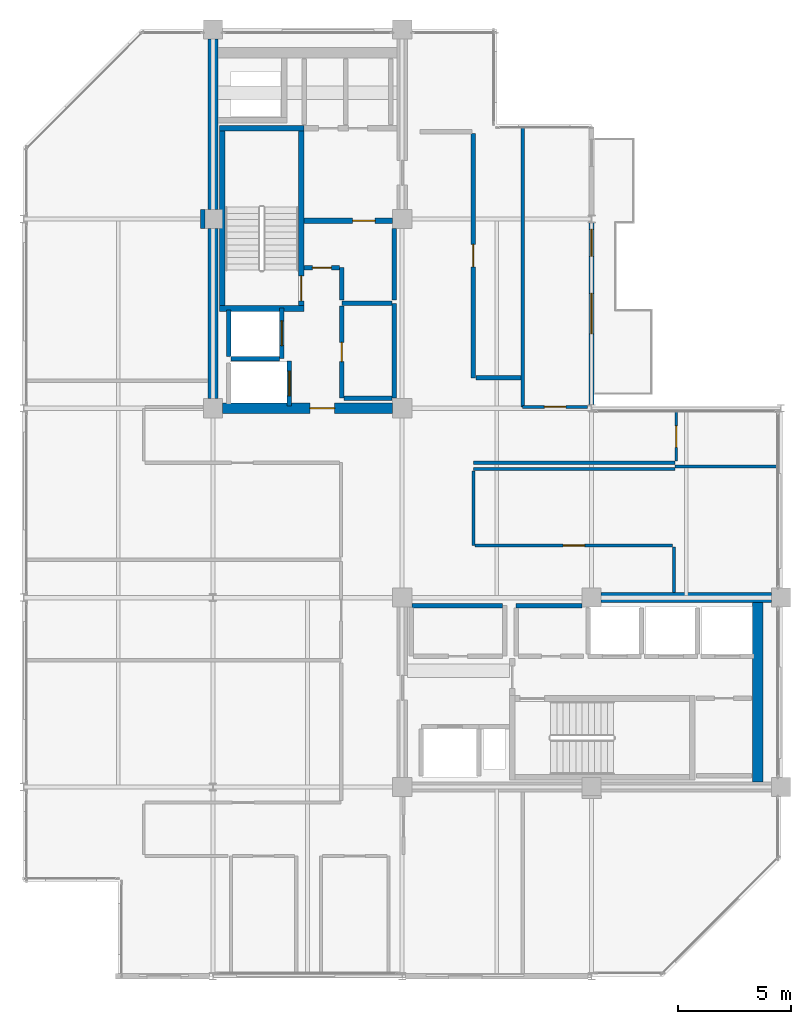
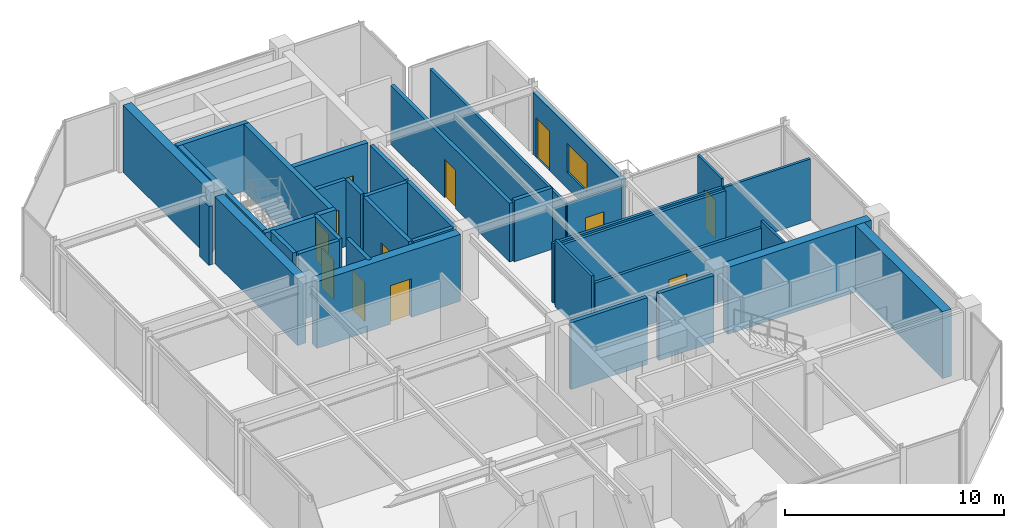
# One storey, part 21 of 24: 36 walls, 12 doors, 1 window, 13 openings.
"""IFC4 building model written with IfcOpenShell, lengths in metres."""

from ifc_helpers import new_model, si_unit, direction, frame, frame_2d, origin, place, context, subcontext, project, spatial, rectangle, extrude, material, layer, layer_set, type_object, element, fill, save


model = new_model("IFC4")

# Units and contexts
model_context = context("Model", 3, precision=1e-05, world=origin(), true_north=direction((0.0, 1.0)))
body_context = subcontext(model_context, "Body", "Model", "MODEL_VIEW")
ifc_project = project(units=[si_unit("LENGTHUNIT", "METRE"), si_unit("AREAUNIT", "SQUARE_METRE"), si_unit("VOLUMEUNIT", "CUBIC_METRE"), si_unit("PLANEANGLEUNIT", "RADIAN"), si_unit("MASSUNIT", "GRAM", prefix="KILO")], contexts=[model_context])

# Site, building, storey
site_placement = place(None, origin())
site = spatial("IfcSite", under=ifc_project, at=site_placement, CompositionType="ELEMENT")
building_placement = place(site_placement, origin())
building = spatial("IfcBuilding", under=site, at=building_placement, Name="Nerrivon Quay Data Exchange", CompositionType="ELEMENT")
storey_placement = place(building_placement, frame((0.0, 0.0, 294.199951171875)))
storey = spatial("IfcBuildingStorey", under=building, at=storey_placement, Name="L70", CompositionType="ELEMENT", Elevation=294.199951171875)

# Wall, openings, door, window
ifc_material_1 = material(Name="Architectural terracotta precast concrete N50 (50 MPa)", Category="masonry")
ifc_layer_1 = layer(ifc_material_1, 0.239990234375)
ifc_layer_set_1 = layer_set([ifc_layer_1], Name="Architectural terracotta precast concrete N50 (50 MPa)")
wall_type_1 = type_object("IfcWallType", Name="EW-PREC-240", PredefinedType="STANDARD", material=ifc_layer_set_1)
wall_1_placement = place(storey_placement, frame((25.199951171875, 33.4365234375, 0.0), z_axis=(0.0, 0.0, 1.0), x_axis=(0.0, -1.0, 0.0)))
wall_1 = element("IfcWall", 1, at=wall_1_placement, inside=storey, type_object=wall_type_1, Name="L70 Terrace Host Wall 20", PredefinedType="STANDARD", context=body_context, shape_type="SweptSolid", body=[
    extrude(rectangle(XDim=8.072998046875, YDim=0.239990234375, at=frame_2d((4.03662109375, 0.0))), origin(), (0.0, 0.0, 1.0), 3.47509765625),
])
opening_1_placement = place(wall_1_placement, frame((0.300048828125, 0.0, 0.0)))
opening_1 = element("IfcOpeningElement", 2, at=opening_1_placement, cuts=wall_1, Name="Opening TD1", PredefinedType="OPENING", context=body_context, shape_type="SweptSolid", body=[
    extrude(rectangle(XDim=1.199951171875, YDim=2.199951171875, at=frame_2d((0.60009765625, 1.10009765625))), frame((0.0, 0.1298828125, 0.0), z_axis=(0.0, -1.0, 0.0), x_axis=(1.0, 0.0, 0.0)), (0.0, 0.0, 1.0), 0.260009765625),
])
opening_2_placement = place(wall_1_placement, frame((3.136474609375, 0.0, 0.89990234375)))
opening_2 = element("IfcOpeningElement", 3, at=opening_2_placement, cuts=wall_1, Name="Opening WN2", PredefinedType="OPENING", context=body_context, shape_type="SweptSolid", body=[
    extrude(rectangle(XDim=1.800048828125, YDim=1.60009765625, at=frame_2d((0.89990234375, 0.800048828125))), frame((0.0, 0.1298828125, 0.0), z_axis=(0.0, -1.0, 0.0), x_axis=(1.0, 0.0, 0.0)), (0.0, 0.0, 1.0), 0.260009765625),
])
ifc_material_2 = material(Name="Double-glazed low-E solar control glass", Category="glass")
door_type_1 = type_object("IfcDoorType", Name="DR-TERR-1200x2200", OperationType="NOTDEFINED", PredefinedType="DOOR", material=ifc_material_2)
door_1_placement = place(opening_1_placement, origin())
door_1 = element("IfcDoor", 4, at=door_1_placement, inside=storey, type_object=door_type_1, Name="L70 Outdoor Terrace Access Door 20", OperationType="SINGLE_SWING_LEFT", OverallHeight=2.199951171875, OverallWidth=1.199951171875, PredefinedType="DOOR", context=body_context, shape_type="SweptSolid", body=[
    extrude(rectangle(XDim=1.199951171875, YDim=2.199951171875, at=frame_2d((0.60009765625, 1.10009765625))), frame((0.0, 0.02490234375, 0.0), z_axis=(0.0, -1.0, 0.0), x_axis=(1.0, 0.0, 0.0)), (0.0, 0.0, 1.0), 0.050048828125),
])
fill(opening_1, door_1)
window_type = type_object("IfcWindowType", Name="WIN-W2-1800x1600", PartitioningType="SINGLE_PANEL", PredefinedType="WINDOW", material=ifc_material_2)
window_placement = place(opening_2_placement, origin())
window = element("IfcWindow", 5, at=window_placement, inside=storey, type_object=window_type, Name="L70 Terrace Side Window 20", OverallHeight=1.60009765625, OverallWidth=1.800048828125, PartitioningType="SINGLE_PANEL", PredefinedType="WINDOW", context=body_context, shape_type="SweptSolid", body=[
    extrude(rectangle(XDim=1.800048828125, YDim=1.60009765625, at=frame_2d((0.89990234375, 0.800048828125))), frame((0.0, 0.030029296875, 0.0), z_axis=(0.0, -1.0, 0.0), x_axis=(1.0, 0.0, 0.0)), (0.0, 0.0, 1.0), 0.06005859375),
])
fill(opening_2, window)

# Walls
ifc_material_3 = material(Name="Concrete N50 (50 MPa)", Category="concrete")
ifc_layer_2 = layer(ifc_material_3, 0.449951171875)
ifc_layer_set_2 = layer_set([ifc_layer_2], Name="Concrete N50 (50 MPa)")
wall_type_2 = type_object("IfcWallType", Name="WALL-CW-550", PredefinedType="SHEAR", material=ifc_layer_set_2)
for number, where, z_axis, x_axis, name in (
    (6, (8.39990234375, 25.625, 0.0), (0.0, 0.0, 1.0), (0.0, 1.0, 0.0), "L70 West Split-Core Shear Wall WCW-W1"),
    (7, (8.39990234375, 34.02490234375, 0.0), (0.0, 0.0, 1.0), (0.0, 1.0, 0.0), "L70 West Split-Core Shear Wall WCW-W2"),
):
    element("IfcWall", number, at=place(storey_placement, frame(where, z_axis=z_axis, x_axis=x_axis)), inside=storey, type_object=wall_type_2, Name=name, PredefinedType="SHEAR", context=body_context, shape_type="SweptSolid", body=[
        extrude(rectangle(XDim=7.550048828125, YDim=0.449951171875, at=frame_2d((3.77490234375, 0.0))), origin(), (0.0, 0.0, 1.0), 3.72509765625),
    ])

# Wall, opening, door
wall_2_placement = place(storey_placement, frame((8.824951171875, 25.199951171875, 0.0), z_axis=(0.0, 0.0, 1.0), x_axis=(1.0, 0.0, 0.0)))
wall_2 = element("IfcWall", 8, at=wall_2_placement, inside=storey, type_object=wall_type_2, Name="L70 West Split-Core Shear Wall WCW-S1", PredefinedType="SHEAR", context=body_context, shape_type="SweptSolid", body=[
    extrude(rectangle(XDim=7.550048828125, YDim=0.449951171875, at=frame_2d((3.77490234375, 0.0))), origin(), (0.0, 0.0, 1.0), 3.72509765625),
])
opening_3_placement = place(wall_2_placement, frame((3.875, 0.0, 0.0)))
opening_3 = element("IfcOpeningElement", 9, at=opening_3_placement, cuts=wall_2, Name="Opening FD-120", PredefinedType="OPENING", context=body_context, shape_type="SweptSolid", body=[
    extrude(rectangle(XDim=1.10009765625, YDim=2.14990234375, at=frame_2d((0.550048828125, 1.074951171875))), frame((0.0, 0.23486328125, 0.0), z_axis=(0.0, -1.0, 0.0), x_axis=(1.0, 0.0, 0.0)), (0.0, 0.0, 1.0), 0.469970703125),
])
ifc_material_4 = material(Name="Powder-coated galvanized steel sheet", Category="steel")
door_type_2 = type_object("IfcDoorType", Name="DR-FD120-1100", OperationType="NOTDEFINED", PredefinedType="DOOR", material=ifc_material_4)
door_2_placement = place(opening_3_placement, origin())
door_2 = element("IfcDoor", 10, at=door_2_placement, inside=storey, type_object=door_type_2, Name="L70 West Core Lobby Fire Door", OperationType="SINGLE_SWING_LEFT", OverallHeight=2.14990234375, OverallWidth=1.10009765625, PredefinedType="DOOR", context=body_context, shape_type="SweptSolid", body=[
    extrude(rectangle(XDim=1.10009765625, YDim=2.14990234375, at=frame_2d((0.550048828125, 1.074951171875))), frame((0.0, 0.02490234375, 0.0), z_axis=(0.0, -1.0, 0.0), x_axis=(1.0, 0.0, 0.0)), (0.0, 0.0, 1.0), 0.050048828125),
])
fill(opening_3, door_2)

# Walls
wall_3_placement = place(storey_placement, frame((32.574951171875, 8.625, 0.0), z_axis=(0.0, 0.0, 1.0), x_axis=(0.0, 1.0, 0.0)))
element("IfcWall", 11, at=wall_3_placement, inside=storey, type_object=wall_type_2, Name="L70 East Split-Core Shear Wall ECW-E1", PredefinedType="SHEAR", context=body_context, shape_type="SweptSolid", body=[
    extrude(rectangle(XDim=7.949951171875, YDim=0.449951171875, at=frame_2d((3.97509765625, 0.0))), origin(), (0.0, 0.0, 1.0), 3.72509765625),
])
wall_4_placement = place(storey_placement, frame((25.625, 16.800048828125, 0.0), z_axis=(0.0, 0.0, 1.0), x_axis=(1.0, 0.0, 0.0)))
element("IfcWall", 12, at=wall_4_placement, inside=storey, type_object=wall_type_2, Name="L70 East Split-Core Shear Wall ECW-N1", PredefinedType="SHEAR", context=body_context, shape_type="SweptSolid", body=[
    extrude(rectangle(XDim=7.550048828125, YDim=0.449951171875, at=frame_2d((3.77490234375, 0.0))), origin(), (0.0, 0.0, 1.0), 3.72509765625),
])

# Wall, opening, door
ifc_material_5 = material(Name="Gypsum plasterboard on cold-formed framing", Category="gypsum")
ifc_layer_3 = layer(ifc_material_5, 0.199951171875)
ifc_layer_set_3 = layer_set([ifc_layer_3], Name="Gypsum plasterboard on cold-formed framing")
wall_type_3 = type_object("IfcWallType", Name="WALL-FW-200", PredefinedType="PARTITIONING", material=ifc_layer_set_3)
wall_5_placement = place(storey_placement, frame((11.449951171875, 27.39990234375, 0.0), z_axis=(0.0, 0.0, 1.0), x_axis=(0.0, 1.0, 0.0)))
wall_5 = element("IfcWall", 13, at=wall_5_placement, inside=storey, type_object=wall_type_3, Name="L70 Lift Front Wall FFL-1", PredefinedType="PARTITIONING", context=body_context, shape_type="SweptSolid", body=[
    extrude(rectangle(XDim=2.25, YDim=0.199951171875, at=frame_2d((1.125, 0.0))), origin(), (0.0, 0.0, 1.0), 3.72509765625),
])
opening_4_placement = place(wall_5_placement, frame((0.574951171875, 0.0, 0.0)))
opening_4 = element("IfcOpeningElement", 14, at=opening_4_placement, cuts=wall_5, Name="Opening LD-120", PredefinedType="OPENING", context=body_context, shape_type="SweptSolid", body=[
    extrude(rectangle(XDim=1.10009765625, YDim=2.199951171875, at=frame_2d((0.550048828125, 1.10009765625))), frame((0.0, 0.10986328125, 0.0), z_axis=(0.0, -1.0, 0.0), x_axis=(1.0, 0.0, 0.0)), (0.0, 0.0, 1.0), 0.219970703125),
])
door_type_3 = type_object("IfcDoorType", Name="DR-LIFT-LD120", OperationType="DOUBLE_DOOR_SLIDING", PredefinedType="DOOR", material=ifc_material_4)
door_3_placement = place(opening_4_placement, origin())
door_3 = element("IfcDoor", 15, at=door_3_placement, inside=storey, type_object=door_type_3, Name="L70 Lift Landing Sliding Door FFL-1", OperationType="DOUBLE_DOOR_SLIDING", OverallHeight=2.199951171875, OverallWidth=1.10009765625, PredefinedType="DOOR", context=body_context, shape_type="SweptSolid", body=[
    extrude(rectangle(XDim=1.10009765625, YDim=2.199951171875, at=frame_2d((0.550048828125, 1.10009765625))), frame((0.0, 0.02490234375, 0.0), z_axis=(0.0, -1.0, 0.0), x_axis=(1.0, 0.0, 0.0)), (0.0, 0.0, 1.0), 0.050048828125),
])
fill(opening_4, door_3)

# Walls
wall_6_placement = place(storey_placement, frame((9.10009765625, 27.5, 0.0), z_axis=(0.0, 0.0, 1.0), x_axis=(0.0, 1.0, 0.0)))
element("IfcWall", 16, at=wall_6_placement, inside=storey, type_object=wall_type_3, Name="L70 Lift Shaft Wall FFL-1 WEST", PredefinedType="PARTITIONING", context=body_context, shape_type="SweptSolid", body=[
    extrude(rectangle(XDim=2.050048828125, YDim=0.199951171875, at=frame_2d((1.02490234375, 0.0))), origin(), (0.0, 0.0, 1.0), 3.72509765625),
])
wall_7_placement = place(storey_placement, frame((9.199951171875, 27.39990234375, 0.0), z_axis=(0.0, 0.0, 1.0), x_axis=(1.0, 0.0, 0.0)))
element("IfcWall", 17, at=wall_7_placement, inside=storey, type_object=wall_type_3, Name="L70 Lift Shaft Wall FFL-1 SOUTH", PredefinedType="PARTITIONING", context=body_context, shape_type="SweptSolid", body=[
    extrude(rectangle(XDim=2.150146484375, YDim=0.199951171875, at=frame_2d((1.0751953125, 0.0))), origin(), (0.0, 0.0, 1.0), 3.72509765625),
])

# Wall, opening, door
wall_8_placement = place(storey_placement, frame((11.800048828125, 25.300048828125, 0.0), z_axis=(0.0, 0.0, 1.0), x_axis=(0.0, 1.0, 0.0)))
wall_8 = element("IfcWall", 18, at=wall_8_placement, inside=storey, type_object=wall_type_3, Name="L70 Lift Front Wall SVL-1", PredefinedType="PARTITIONING", context=body_context, shape_type="SweptSolid", body=[
    extrude(rectangle(XDim=2.0, YDim=0.199951171875, at=frame_2d((1.0, 0.0))), origin(), (0.0, 0.0, 1.0), 3.72509765625),
])
opening_5_placement = place(wall_8_placement, frame((0.449951171875, 0.0, 0.0)))
opening_5 = element("IfcOpeningElement", 19, at=opening_5_placement, cuts=wall_8, Name="Opening LD-120", PredefinedType="OPENING", context=body_context, shape_type="SweptSolid", body=[
    extrude(rectangle(XDim=1.10009765625, YDim=2.199951171875, at=frame_2d((0.550048828125, 1.10009765625))), frame((0.0, 0.10986328125, 0.0), z_axis=(0.0, -1.0, 0.0), x_axis=(1.0, 0.0, 0.0)), (0.0, 0.0, 1.0), 0.219970703125),
])
door_4_placement = place(opening_5_placement, origin())
door_4 = element("IfcDoor", 20, at=door_4_placement, inside=storey, type_object=door_type_3, Name="L70 Lift Landing Sliding Door SVL-1", OperationType="DOUBLE_DOOR_SLIDING", OverallHeight=2.199951171875, OverallWidth=1.10009765625, PredefinedType="DOOR", context=body_context, shape_type="SweptSolid", body=[
    extrude(rectangle(XDim=1.10009765625, YDim=2.199951171875, at=frame_2d((0.550048828125, 1.10009765625))), frame((0.0, 0.02490234375, 0.0), z_axis=(0.0, -1.0, 0.0), x_axis=(1.0, 0.0, 0.0)), (0.0, 0.0, 1.0), 0.050048828125),
])
fill(opening_5, door_4)

# Walls
wall_9_placement = place(storey_placement, frame((16.449951171875, 25.64990234375, 0.0), z_axis=(0.0, 0.0, 1.0), x_axis=(0.0, 1.0, 0.0)))
element("IfcWall", 21, at=wall_9_placement, inside=storey, type_object=wall_type_3, Name="L70 Partition Telemetry Hub Closet", PredefinedType="PARTITIONING", context=body_context, shape_type="SweptSolid", body=[
    extrude(rectangle(XDim=4.2001953125, YDim=0.199951171875, at=frame_2d((2.10009765625, 0.0))), origin(), (0.0, 0.0, 1.0), 3.72509765625),
])
wall_10_placement = place(storey_placement, frame((16.345947265625, 29.85009765625, 0.0), z_axis=(0.0, 0.0, 1.0), x_axis=(-1.0, 0.0, 0.0)))
element("IfcWall", 22, at=wall_10_placement, inside=storey, type_object=wall_type_3, Name="L70 Partition Telemetry Hub Closet", PredefinedType="PARTITIONING", context=body_context, shape_type="SweptSolid", body=[
    extrude(rectangle(XDim=2.225830078125, YDim=0.199951171875, at=frame_2d((1.11279296875, 0.0))), origin(), (0.0, 0.0, 1.0), 3.72509765625),
])

# Wall, opening, door
wall_11_placement = place(storey_placement, frame((14.1201171875, 29.74609375, 0.0), z_axis=(0.0, 0.0, 1.0), x_axis=(0.0, -1.0, 0.0)))
wall_11 = element("IfcWall", 23, at=wall_11_placement, inside=storey, type_object=wall_type_3, Name="L70 Partition Telemetry Hub Closet", PredefinedType="PARTITIONING", context=body_context, shape_type="SweptSolid", body=[
    extrude(rectangle(XDim=4.09619140625, YDim=0.199951171875, at=frame_2d((2.048095703125, 0.0))), origin(), (0.0, 0.0, 1.0), 3.72509765625),
])
opening_6_placement = place(wall_11_placement, frame((1.623046875, 0.0, 0.0)))
opening_6 = element("IfcOpeningElement", 24, at=opening_6_placement, cuts=wall_11, Name="Opening FD-60S", PredefinedType="OPENING", context=body_context, shape_type="SweptSolid", body=[
    extrude(rectangle(XDim=0.85009765625, YDim=2.14990234375, at=frame_2d((0.425048828125, 1.074951171875))), frame((0.0, 0.10986328125, 0.0), z_axis=(0.0, -1.0, 0.0), x_axis=(1.0, 0.0, 0.0)), (0.0, 0.0, 1.0), 0.219970703125),
])
ifc_material_6 = material(Name="Engineered hardwood timber", Category="wood")
door_type_4 = type_object("IfcDoorType", Name="DR-FD60-850", OperationType="NOTDEFINED", PredefinedType="DOOR", material=ifc_material_6)
door_5_placement = place(opening_6_placement, origin())
door_5 = element("IfcDoor", 25, at=door_5_placement, inside=storey, type_object=door_type_4, Name="L70 Door Telemetry Hub Closet", OperationType="SINGLE_SWING_LEFT", OverallHeight=2.14990234375, OverallWidth=0.85009765625, PredefinedType="DOOR", context=body_context, shape_type="SweptSolid", body=[
    extrude(rectangle(XDim=0.85009765625, YDim=2.14990234375, at=frame_2d((0.425048828125, 1.074951171875))), frame((0.0, 0.02490234375, 0.0), z_axis=(0.0, -1.0, 0.0), x_axis=(1.0, 0.0, 0.0)), (0.0, 0.0, 1.0), 0.050048828125),
])
fill(opening_6, door_5)

# Walls
wall_12_placement = place(storey_placement, frame((14.22412109375, 25.64990234375, 0.0), z_axis=(0.0, 0.0, 1.0), x_axis=(1.0, 0.0, 0.0)))
element("IfcWall", 26, at=wall_12_placement, inside=storey, type_object=wall_type_3, Name="L70 Partition Telemetry Hub Closet", PredefinedType="PARTITIONING", context=body_context, shape_type="SweptSolid", body=[
    extrude(rectangle(XDim=2.121826171875, YDim=0.199951171875, at=frame_2d((1.06103515625, 0.0))), origin(), (0.0, 0.0, 1.0), 3.72509765625),
])
wall_13_placement = place(storey_placement, frame((14.1201171875, 31.43994140625, 0.0), z_axis=(0.0, 0.0, 1.0), x_axis=(0.0, -1.0, 0.0)))
element("IfcWall", 27, at=wall_13_placement, inside=storey, type_object=wall_type_3, Name="L70 Partition Core Equipment Store", PredefinedType="PARTITIONING", context=body_context, shape_type="SweptSolid", body=[
    extrude(rectangle(XDim=1.43994140625, YDim=0.199951171875, at=frame_2d((0.719970703125, 0.0))), origin(), (0.0, 0.0, 1.0), 3.72509765625),
])
wall_14_placement = place(storey_placement, frame((16.449951171875, 30.0, 0.0), z_axis=(0.0, 0.0, 1.0), x_axis=(0.0, 1.0, 0.0)))
element("IfcWall", 28, at=wall_14_placement, inside=storey, type_object=wall_type_3, Name="L70 Partition Core Equipment Store", PredefinedType="PARTITIONING", context=body_context, shape_type="SweptSolid", body=[
    extrude(rectangle(XDim=3.169921875, YDim=0.199951171875, at=frame_2d((1.5849609375, 0.0))), origin(), (0.0, 0.0, 1.0), 3.72509765625),
])

# Wall, opening, door
wall_15_placement = place(storey_placement, frame((12.4541015625, 31.43994140625, 0.0), z_axis=(0.0, 0.0, 1.0), x_axis=(1.0, 0.0, 0.0)))
wall_15 = element("IfcWall", 29, at=wall_15_placement, inside=storey, type_object=wall_type_3, Name="L70 Partition Core Equipment Store", PredefinedType="PARTITIONING", context=body_context, shape_type="SweptSolid", body=[
    extrude(rectangle(XDim=1.56201171875, YDim=0.199951171875, at=frame_2d((0.781005859375, 0.0))), origin(), (0.0, 0.0, 1.0), 3.72509765625),
])
opening_7_placement = place(wall_15_placement, frame((0.35595703125, 0.0, 0.0)))
opening_7 = element("IfcOpeningElement", 30, at=opening_7_placement, cuts=wall_15, Name="Opening FD-60S", PredefinedType="OPENING", context=body_context, shape_type="SweptSolid", body=[
    extrude(rectangle(XDim=0.85009765625, YDim=2.14990234375, at=frame_2d((0.425048828125, 1.074951171875))), frame((0.0, 0.10986328125, 0.0), z_axis=(0.0, -1.0, 0.0), x_axis=(1.0, 0.0, 0.0)), (0.0, 0.0, 1.0), 0.219970703125),
])
door_6_placement = place(opening_7_placement, origin())
door_6 = element("IfcDoor", 31, at=door_6_placement, inside=storey, type_object=door_type_4, Name="L70 Door Core Equipment Store", OperationType="SINGLE_SWING_RIGHT", OverallHeight=2.14990234375, OverallWidth=0.85009765625, PredefinedType="DOOR", context=body_context, shape_type="SweptSolid", body=[
    extrude(rectangle(XDim=0.85009765625, YDim=2.14990234375, at=frame_2d((0.425048828125, 1.074951171875))), frame((0.0, 0.02490234375, 0.0), z_axis=(0.0, -1.0, 0.0), x_axis=(1.0, 0.0, 0.0)), (0.0, 0.0, 1.0), 0.050048828125),
])
fill(opening_7, door_6)

# Walls
wall_16_placement = place(storey_placement, frame((21.24609375, 16.449951171875, 0.0), z_axis=(0.0, 0.0, 1.0), x_axis=(-1.0, 0.0, 0.0)))
element("IfcWall", 32, at=wall_16_placement, inside=storey, type_object=wall_type_3, Name="L70 Partition High-Zone Optical Closet", PredefinedType="PARTITIONING", context=body_context, shape_type="SweptSolid", body=[
    extrude(rectangle(XDim=4.01611328125, YDim=0.199951171875, at=frame_2d((2.008056640625, 0.0))), origin(), (0.0, 0.0, 1.0), 3.72509765625),
])
wall_17_placement = place(storey_placement, frame((24.77001953125, 16.449951171875, 0.0), z_axis=(0.0, 0.0, 1.0), x_axis=(-1.0, 0.0, 0.0)))
element("IfcWall", 33, at=wall_17_placement, inside=storey, type_object=wall_type_3, Name="L70 Partition High-Zone Supply Store", PredefinedType="PARTITIONING", context=body_context, shape_type="SweptSolid", body=[
    extrude(rectangle(XDim=2.919921875, YDim=0.199951171875, at=frame_2d((1.4599609375, 0.0))), origin(), (0.0, 0.0, 1.0), 3.72509765625),
])

# Wall, opening, door
wall_18_placement = place(storey_placement, frame((19.9599609375, 37.39990234375, 0.0), z_axis=(0.0, 0.0, 1.0), x_axis=(0.0, -1.0, 0.0)))
wall_18 = element("IfcWall", 34, at=wall_18_placement, inside=storey, type_object=wall_type_3, Name="L70 Partition Colocation Data Workspace 1", PredefinedType="PARTITIONING", context=body_context, shape_type="SweptSolid", body=[
    extrude(rectangle(XDim=10.85498046875, YDim=0.199951171875, at=frame_2d((5.427490234375, 0.0))), origin(), (0.0, 0.0, 1.0), 3.27099609375),
])
opening_8_placement = place(wall_18_placement, frame((4.927490234375, 0.0, 0.0)))
opening_8 = element("IfcOpeningElement", 35, at=opening_8_placement, cuts=wall_18, Name="Opening FD-60", PredefinedType="OPENING", context=body_context, shape_type="SweptSolid", body=[
    extrude(rectangle(XDim=1.0, YDim=2.14990234375, at=frame_2d((0.5, 1.074951171875))), frame((0.0, 0.10986328125, 0.0), z_axis=(0.0, -1.0, 0.0), x_axis=(1.0, 0.0, 0.0)), (0.0, 0.0, 1.0), 0.219970703125),
])
door_type_5 = type_object("IfcDoorType", Name="DR-FD60-1000", OperationType="NOTDEFINED", PredefinedType="DOOR", material=ifc_material_6)
door_7_placement = place(opening_8_placement, origin())
door_7 = element("IfcDoor", 36, at=door_7_placement, inside=storey, type_object=door_type_5, Name="L70 Door Colocation Data Workspace 1", OperationType="SINGLE_SWING_LEFT", OverallHeight=2.14990234375, OverallWidth=1.0, PredefinedType="DOOR", context=body_context, shape_type="SweptSolid", body=[
    extrude(rectangle(XDim=1.0, YDim=2.14990234375, at=frame_2d((0.5, 1.074951171875))), frame((0.0, 0.02490234375, 0.0), z_axis=(0.0, -1.0, 0.0), x_axis=(1.0, 0.0, 0.0)), (0.0, 0.0, 1.0), 0.050048828125),
])
fill(opening_8, door_7)

# Walls
wall_19_placement = place(storey_placement, frame((20.06396484375, 26.544921875, 0.0), z_axis=(0.0, 0.0, 1.0), x_axis=(1.0, 0.0, 0.0)))
element("IfcWall", 37, at=wall_19_placement, inside=storey, type_object=wall_type_3, Name="L70 Partition Colocation Data Workspace 1", PredefinedType="PARTITIONING", context=body_context, shape_type="SweptSolid", body=[
    extrude(rectangle(XDim=2.0009765625, YDim=0.199951171875, at=frame_2d((1.00048828125, 0.0))), origin(), (0.0, 0.0, 1.0), 3.421142578125),
])
wall_20_placement = place(storey_placement, frame((7.955810546875, 33.169189453125, 0.0), z_axis=(0.0, 0.0, 1.0), x_axis=(-0.000855919801, 0.999999633701, 0.0)))
element("IfcWall", 38, at=wall_20_placement, inside=storey, type_object=wall_type_3, Name="L70 Partition Colocation Data Workspace 1", PredefinedType="PARTITIONING", context=body_context, shape_type="SweptSolid", body=[
    extrude(rectangle(XDim=0.855712890625, YDim=0.199951171875, at=frame_2d((0.427734375, 0.0))), origin(), (0.0, 0.0, 1.0), 3.27099609375),
])

# Wall, opening, door
ifc_layer_4 = layer(ifc_material_5, 0.1201171875)
ifc_layer_set_4 = layer_set([ifc_layer_4], Name="Gypsum plasterboard on cold-formed framing")
wall_type_4 = type_object("IfcWallType", Name="WALL-PT-120", PredefinedType="PARTITIONING", material=ifc_layer_set_4)
wall_21_placement = place(storey_placement, frame((28.9599609375, 25.031005859375, 0.0), z_axis=(0.0, 0.0, 1.0), x_axis=(0.0, -1.0, 0.0)))
wall_21 = element("IfcWall", 39, at=wall_21_placement, inside=storey, type_object=wall_type_4, Name="L70 Partition Shared Breakout Kitchenette", PredefinedType="PARTITIONING", context=body_context, shape_type="SweptSolid", body=[
    extrude(rectangle(XDim=2.180908203125, YDim=0.1201171875, at=frame_2d((1.09033203125, 0.0))), origin(), (0.0, 0.0, 1.0), 3.72509765625),
])
opening_9_placement = place(wall_21_placement, frame((0.615478515625, 0.0, 0.0)))
opening_9 = element("IfcOpeningElement", 40, at=opening_9_placement, cuts=wall_21, Name="Opening D-01", PredefinedType="OPENING", context=body_context, shape_type="SweptSolid", body=[
    extrude(rectangle(XDim=0.949951171875, YDim=2.14990234375, at=frame_2d((0.47509765625, 1.074951171875))), frame((0.0, 0.070068359375, 0.0), z_axis=(0.0, -1.0, 0.0), x_axis=(1.0, 0.0, 0.0)), (0.0, 0.0, 1.0), 0.14013671875),
])
door_type_6 = type_object("IfcDoorType", Name="DR-INT-950", OperationType="NOTDEFINED", PredefinedType="DOOR", material=ifc_material_6)
door_8_placement = place(opening_9_placement, origin())
door_8 = element("IfcDoor", 41, at=door_8_placement, inside=storey, type_object=door_type_6, Name="L70 Door Shared Breakout Kitchenette", OperationType="SINGLE_SWING_LEFT", OverallHeight=2.14990234375, OverallWidth=0.949951171875, PredefinedType="DOOR", context=body_context, shape_type="SweptSolid", body=[
    extrude(rectangle(XDim=0.949951171875, YDim=2.14990234375, at=frame_2d((0.47509765625, 1.074951171875))), frame((0.0, 0.02490234375, 0.0), z_axis=(0.0, -1.0, 0.0), x_axis=(1.0, 0.0, 0.0)), (0.0, 0.0, 1.0), 0.050048828125),
])
fill(opening_9, door_8)

wall_22_placement = place(storey_placement, frame((22.14404296875, 25.260009765625, 0.0), z_axis=(0.0, 0.0, 1.0), x_axis=(0.999999996408, -8.4760129e-05, 0.0)))
wall_22 = element("IfcWall", 42, at=wall_22_placement, inside=storey, type_object=wall_type_4, Name="L70 Partition Shared Breakout Kitchenette", PredefinedType="PARTITIONING", context=body_context, shape_type="SweptSolid", body=[
    extrude(rectangle(XDim=2.88037109375, YDim=0.1201171875, at=frame_2d((1.440185546875, 0.0))), origin(), (0.0, 0.0, 1.0), 3.27099609375),
])
opening_10_placement = place(wall_22_placement, frame((0.96533203125, 0.0, 0.0)))
opening_10 = element("IfcOpeningElement", 43, at=opening_10_placement, cuts=wall_22, Name="Opening D-01", PredefinedType="OPENING", context=body_context, shape_type="SweptSolid", body=[
    extrude(rectangle(XDim=0.949951171875, YDim=2.14990234375, at=frame_2d((0.47509765625, 1.074951171875))), frame((0.0, 0.070068359375, 0.0), z_axis=(0.0, -1.0, 0.0), x_axis=(1.0, 0.0, 0.0)), (0.0, 0.0, 1.0), 0.14013671875),
])
door_9_placement = place(opening_10_placement, origin())
door_9 = element("IfcDoor", 44, at=door_9_placement, inside=storey, type_object=door_type_6, Name="L70 Door Shared Breakout Kitchenette", OperationType="SINGLE_SWING_RIGHT", OverallHeight=2.14990234375, OverallWidth=0.949951171875, PredefinedType="DOOR", context=body_context, shape_type="SweptSolid", body=[
    extrude(rectangle(XDim=0.949951171875, YDim=2.14990234375, at=frame_2d((0.47509765625, 1.074951171875))), frame((0.0, 0.02490234375, 0.0), z_axis=(0.0, -1.0, 0.0), x_axis=(1.0, 0.0, 0.0)), (0.0, 0.0, 1.0), 0.050048828125),
])
fill(opening_10, door_9)

# Walls
wall_23_placement = place(storey_placement, frame((28.860107421875, 19.050048828125, 0.0), z_axis=(0.0, 0.0, 1.0), x_axis=(0.0, -1.0, 0.0)))
element("IfcWall", 45, at=wall_23_placement, inside=storey, type_object=wall_type_4, Name="L70 Partition Technical Library", PredefinedType="PARTITIONING", context=body_context, shape_type="SweptSolid", body=[
    extrude(rectangle(XDim=2.02099609375, YDim=0.1201171875, at=frame_2d((1.010498046875, 0.0))), origin(), (0.0, 0.0, 1.0), 3.72509765625),
])
ifc_layer_5 = layer(ifc_material_5, 0.135009765625)
ifc_layer_set_5 = layer_set([ifc_layer_5], Name="Gypsum plasterboard on cold-formed framing")
wall_type_5 = type_object("IfcWallType", Name="WALL-PT-135", PredefinedType="PARTITIONING", material=ifc_layer_set_5)
wall_24_placement = place(storey_placement, frame((28.89990234375, 22.625732421875, 0.0), z_axis=(0.0, 0.0, 1.0), x_axis=(1.0, 0.0, 0.0)))
element("IfcWall", 46, at=wall_24_placement, inside=storey, type_object=wall_type_5, Name="L70 Partition Shared Breakout Kitchenette", PredefinedType="PARTITIONING", context=body_context, shape_type="SweptSolid", body=[
    extrude(rectangle(XDim=4.531005859375, YDim=0.135009765625, at=frame_2d((2.265625, 0.0))), origin(), (0.0, 0.0, 1.0), 3.421142578125),
])
wall_25_placement = place(storey_placement, frame((19.9599609375, 22.4267578125, 0.0), z_axis=(0.0, 0.0, 1.0), x_axis=(0.0, -1.0, 0.0)))
element("IfcWall", 47, at=wall_25_placement, inside=storey, type_object=wall_type_5, Name="L70 Partition Technical Library", PredefinedType="PARTITIONING", context=body_context, shape_type="SweptSolid", body=[
    extrude(rectangle(XDim=3.316650390625, YDim=0.135009765625, at=frame_2d((1.658203125, 0.0))), origin(), (0.0, 0.0, 1.0), 3.72509765625),
])
ifc_layer_6 = layer(ifc_material_5, 0.14990234375)
ifc_layer_set_6 = layer_set([ifc_layer_6], Name="Gypsum plasterboard on cold-formed framing")
wall_type_6 = type_object("IfcWallType", Name="WALL-PT-150", PredefinedType="PARTITIONING", material=ifc_layer_set_6)
wall_26_placement = place(storey_placement, frame((28.89990234375, 22.7900390625, 0.0), z_axis=(0.0, 0.0, 1.0), x_axis=(-1.0, 0.0, 0.0)))
element("IfcWall", 48, at=wall_26_placement, inside=storey, type_object=wall_type_6, Name="L70 Partition Shared Breakout Kitchenette", PredefinedType="PARTITIONING", context=body_context, shape_type="SweptSolid", body=[
    extrude(rectangle(XDim=8.93994140625, YDim=0.14990234375, at=frame_2d((4.469970703125, 0.0))), origin(), (0.0, 0.0, 1.0), 3.319091796875),
])
wall_27_placement = place(storey_placement, frame((22.14404296875, 37.631103515625, 0.0), z_axis=(0.0, 0.0, 1.0), x_axis=(0.0, -1.0, 0.0)))
element("IfcWall", 49, at=wall_27_placement, inside=storey, type_object=wall_type_6, Name="L70 Partition Shared Breakout Kitchenette", PredefinedType="PARTITIONING", context=body_context, shape_type="SweptSolid", body=[
    extrude(rectangle(XDim=12.37109375, YDim=0.14990234375, at=frame_2d((6.185546875, 0.0))), origin(), (0.0, 0.0, 1.0), 3.27099609375),
])
wall_28_placement = place(storey_placement, frame((28.89990234375, 22.505615234375, 0.0), z_axis=(0.0, 0.0, 1.0), x_axis=(-1.0, 0.0, 0.0)))
element("IfcWall", 50, at=wall_28_placement, inside=storey, type_object=wall_type_6, Name="L70 Partition Technical Library", PredefinedType="PARTITIONING", context=body_context, shape_type="SweptSolid", body=[
    extrude(rectangle(XDim=8.93994140625, YDim=0.14990234375, at=frame_2d((4.469970703125, 0.0))), origin(), (0.0, 0.0, 1.0), 3.319091796875),
])

# Wall, opening, door
wall_29_placement = place(storey_placement, frame((20.031494140625, 19.110107421875, 0.0), z_axis=(0.0, 0.0, 1.0), x_axis=(1.0, 0.0, 0.0)))
wall_29 = element("IfcWall", 51, at=wall_29_placement, inside=storey, type_object=wall_type_6, Name="L70 Partition Technical Library", PredefinedType="PARTITIONING", context=body_context, shape_type="SweptSolid", body=[
    extrude(rectangle(XDim=8.7685546875, YDim=0.14990234375, at=frame_2d((4.38427734375, 0.0))), origin(), (0.0, 0.0, 1.0), 3.319091796875),
])
opening_11_placement = place(wall_29_placement, frame((3.9091796875, 0.0, 0.0)))
opening_11 = element("IfcOpeningElement", 52, at=opening_11_placement, cuts=wall_29, Name="Opening D-01", PredefinedType="OPENING", context=body_context, shape_type="SweptSolid", body=[
    extrude(rectangle(XDim=0.949951171875, YDim=2.14990234375, at=frame_2d((0.47509765625, 1.074951171875))), frame((0.0, 0.0849609375, 0.0), z_axis=(0.0, -1.0, 0.0), x_axis=(1.0, 0.0, 0.0)), (0.0, 0.0, 1.0), 0.169921875),
])
door_10_placement = place(opening_11_placement, origin())
door_10 = element("IfcDoor", 53, at=door_10_placement, inside=storey, type_object=door_type_6, Name="L70 Door Technical Library", OperationType="SINGLE_SWING_RIGHT", OverallHeight=2.14990234375, OverallWidth=0.949951171875, PredefinedType="DOOR", context=body_context, shape_type="SweptSolid", body=[
    extrude(rectangle(XDim=0.949951171875, YDim=2.14990234375, at=frame_2d((0.47509765625, 1.074951171875))), frame((0.0, 0.02490234375, 0.0), z_axis=(0.0, -1.0, 0.0), x_axis=(1.0, 0.0, 0.0)), (0.0, 0.0, 1.0), 0.050048828125),
])
fill(opening_11, door_10)

# Walls
ifc_layer_7 = layer(ifc_material_3, 0.25)
ifc_layer_set_7 = layer_set([ifc_layer_7], Name="Concrete N50 (50 MPa)")
wall_type_7 = type_object("IfcWallType", Name="WALL-SW-250", PredefinedType="SHEAR", material=ifc_layer_set_7)
for number, where, z_axis, x_axis, name in (
    (54, (12.449951171875, 29.625, 0.0), (0.0, 0.0, 1.0), (-1.0, 0.0, 0.0), "L70 ST01 Structural Stair Core Wall NEAR"),
    (55, (12.449951171875, 37.625, 0.0), (0.0, 0.0, 1.0), (-1.0, 0.0, 0.0), "L70 ST01 Structural Stair Core Wall FAR"),
):
    element("IfcWall", number, at=place(storey_placement, frame(where, z_axis=z_axis, x_axis=x_axis)), inside=storey, type_object=wall_type_7, Name=name, PredefinedType="SHEAR", context=body_context, shape_type="SweptSolid", body=[
        extrude(rectangle(XDim=3.75, YDim=0.25, at=frame_2d((1.875, 0.0))), origin(), (0.0, 0.0, 1.0), 3.72509765625),
    ])

# Wall, opening, door
wall_30_placement = place(storey_placement, frame((12.324951171875, 29.75, 0.0), z_axis=(0.0, 0.0, 1.0), x_axis=(0.0, 1.0, 0.0)))
wall_30 = element("IfcWall", 56, at=wall_30_placement, inside=storey, type_object=wall_type_7, Name="L70 ST01 Structural Stair Core Wall LEFT", PredefinedType="SHEAR", context=body_context, shape_type="SweptSolid", body=[
    extrude(rectangle(XDim=7.75, YDim=0.25, at=frame_2d((3.875, 0.0))), origin(), (0.0, 0.0, 1.0), 3.72509765625),
])
opening_12_placement = place(wall_30_placement, frame((0.219970703125, 0.0, 0.0)))
opening_12 = element("IfcOpeningElement", 57, at=opening_12_placement, cuts=wall_30, Name="Opening FD-120", PredefinedType="OPENING", context=body_context, shape_type="SweptSolid", body=[
    extrude(rectangle(XDim=1.10009765625, YDim=2.14990234375, at=frame_2d((0.550048828125, 1.074951171875))), frame((0.0, 0.135009765625, 0.0), z_axis=(0.0, -1.0, 0.0), x_axis=(1.0, 0.0, 0.0)), (0.0, 0.0, 1.0), 0.27001953125),
])
door_11_placement = place(opening_12_placement, origin())
door_11 = element("IfcDoor", 58, at=door_11_placement, inside=storey, type_object=door_type_2, Name="L70 Protected Stair Door ST01", OperationType="SINGLE_SWING_LEFT", OverallHeight=2.14990234375, OverallWidth=1.10009765625, PredefinedType="DOOR", context=body_context, shape_type="SweptSolid", body=[
    extrude(rectangle(XDim=1.10009765625, YDim=2.14990234375, at=frame_2d((0.550048828125, 1.074951171875))), frame((0.0, 0.02490234375, 0.0), z_axis=(0.0, -1.0, 0.0), x_axis=(1.0, 0.0, 0.0)), (0.0, 0.0, 1.0), 0.050048828125),
])
fill(opening_12, door_11)

# Wall
wall_31_placement = place(storey_placement, frame((8.824951171875, 29.75, 0.0), z_axis=(0.0, 0.0, 1.0), x_axis=(0.0, 1.0, 0.0)))
element("IfcWall", 59, at=wall_31_placement, inside=storey, type_object=wall_type_7, Name="L70 ST01 Structural Stair Core Wall RIGHT", PredefinedType="SHEAR", context=body_context, shape_type="SweptSolid", body=[
    extrude(rectangle(XDim=7.75, YDim=0.25, at=frame_2d((3.875, 0.0))), origin(), (0.0, 0.0, 1.0), 3.72509765625),
])

# Wall, opening, door
wall_32_placement = place(storey_placement, frame((12.449951171875, 33.52001953125, 0.0), z_axis=(0.0, 0.0, 1.0), x_axis=(1.0, 0.0, 0.0)))
wall_32 = element("IfcWall", 60, at=wall_32_placement, inside=storey, type_object=wall_type_7, Name="L70 West Lobby Smoke-Stop Wall", PredefinedType="SHEAR", context=body_context, shape_type="SweptSolid", body=[
    extrude(rectangle(XDim=3.925048828125, YDim=0.25, at=frame_2d((1.96240234375, 0.0))), origin(), (0.0, 0.0, 1.0), 3.72509765625),
])
opening_13_placement = place(wall_32_placement, frame((2.14990234375, 0.0, 0.0)))
opening_13 = element("IfcOpeningElement", 61, at=opening_13_placement, cuts=wall_32, Name="Opening FD-60", PredefinedType="OPENING", context=body_context, shape_type="SweptSolid", body=[
    extrude(rectangle(XDim=1.0, YDim=2.14990234375, at=frame_2d((0.5, 1.074951171875))), frame((0.0, 0.135009765625, 0.0), z_axis=(0.0, -1.0, 0.0), x_axis=(1.0, 0.0, 0.0)), (0.0, 0.0, 1.0), 0.27001953125),
])
door_12_placement = place(opening_13_placement, origin())
door_12 = element("IfcDoor", 62, at=door_12_placement, inside=storey, type_object=door_type_5, Name="L70 West Firefighting Lobby Fire Door", OperationType="SINGLE_SWING_LEFT", OverallHeight=2.14990234375, OverallWidth=1.0, PredefinedType="DOOR", context=body_context, shape_type="SweptSolid", body=[
    extrude(rectangle(XDim=1.0, YDim=2.14990234375, at=frame_2d((0.5, 1.074951171875))), frame((0.0, 0.02490234375, 0.0), z_axis=(0.0, -1.0, 0.0), x_axis=(1.0, 0.0, 0.0)), (0.0, 0.0, 1.0), 0.050048828125),
])
fill(opening_13, door_12)

save(model, "model.ifc")
